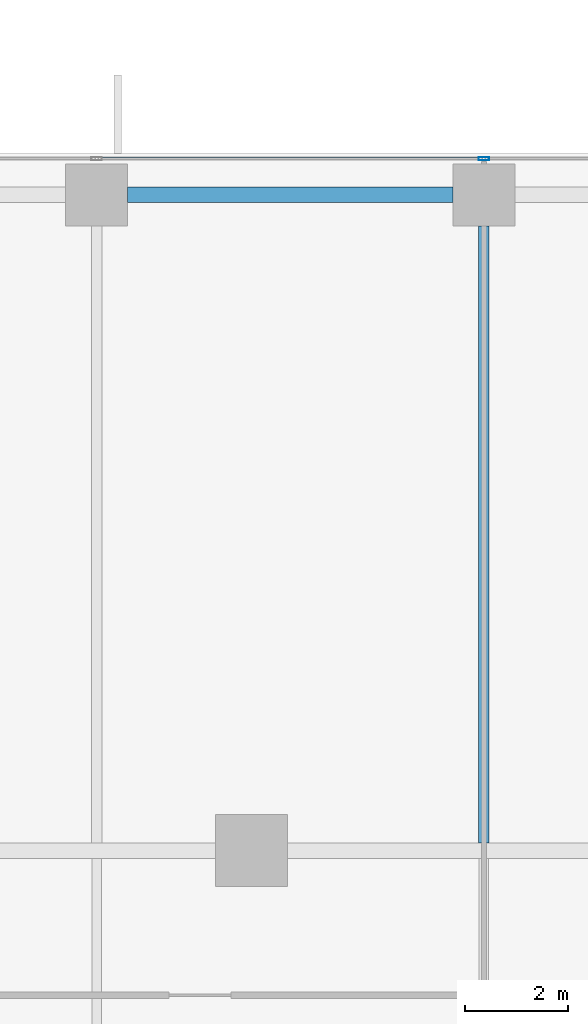
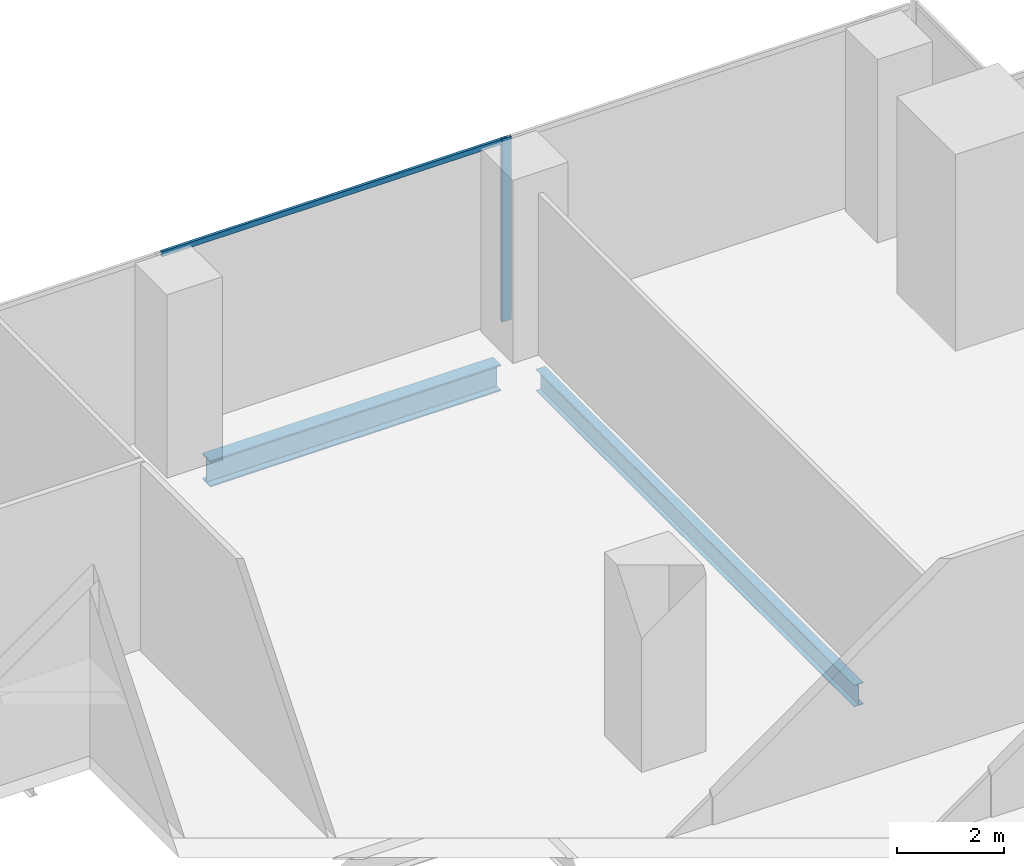
# One storey, part 19 of 33: 2 beams, 2 members, 1 element without a shape of its own.
"""IFC4 building model written with IfcOpenShell, lengths in metres."""

from ifc_helpers import new_model, si_unit, direction, frame, origin, origin_2d, place, context, subcontext, project, spatial, hollow_rectangle, i_section, extrude, source, transform, mapped, material, material_profile, profile_set, type_object, element, aggregate, save


model = new_model("IFC4")

# Units and contexts
model_context = context("Model", 3, precision=1e-05, world=origin(), true_north=direction((0.0, 1.0)))
body_context = subcontext(model_context, "Body", "Model", "MODEL_VIEW")
ifc_project = project(units=[si_unit("LENGTHUNIT", "METRE"), si_unit("AREAUNIT", "SQUARE_METRE"), si_unit("VOLUMEUNIT", "CUBIC_METRE"), si_unit("PLANEANGLEUNIT", "RADIAN"), si_unit("MASSUNIT", "GRAM", prefix="KILO")], contexts=[model_context])

# Site, building, storey
site_placement = place(None, origin())
site = spatial("IfcSite", under=ifc_project, at=site_placement, CompositionType="ELEMENT")
building_placement = place(site_placement, origin())
building = spatial("IfcBuilding", under=site, at=building_placement, Name="Khomas Fold Tower", CompositionType="ELEMENT")
storey_placement = place(building_placement, frame((0.0, 0.0, 78.0)))
storey = spatial("IfcBuildingStorey", under=building, at=storey_placement, Name="L16", CompositionType="ELEMENT", Elevation=78.0)

# Beams
ifc_material_1 = material(Name="Steel S355", Category="steel")
ifc_material_profile_1 = material_profile(ifc_material_1, i_section(OverallWidth=0.300048828125, OverallDepth=0.60009765625, WebThickness=0.015380859375, FlangeThickness=0.030029296875, at=origin_2d()), Name="HE 600 B")
ifc_profile_set_1 = profile_set([ifc_material_profile_1], Name="Steel S355")
beam_type_1 = type_object("IfcBeamType", Name="HE 600 B spandrel SB1", PredefinedType="SPANDREL", material=ifc_profile_set_1)
shared_shape_1 = source(origin(), body_context, "Body", "SweptSolid", [
    extrude(i_section(OverallWidth=0.300048828125, OverallDepth=0.60009765625, WebThickness=0.015380859375, FlangeThickness=0.030029296875, at=origin_2d()), origin(), (0.0, 0.0, 1.0), 6.2998046875),
])
beam_1_placement = place(storey_placement, frame((35.10009765625, 53.199951171875, -0.60009765625), z_axis=(1.0, 0.0, 0.0), x_axis=(0.0, 1.0, 0.0)))
element("IfcBeam", 1, at=beam_1_placement, inside=storey, type_object=beam_type_1, Name="SB1", PredefinedType="SPANDREL", context=body_context, shape_type="MappedRepresentation", body=[
    mapped(shared_shape_1, transform((0.0, 0.0, 0.0))),
])
ifc_material_2 = material(Name="Steel S355", Category="steel")
ifc_material_profile_2 = material_profile(ifc_material_2, i_section(OverallWidth=0.199951171875, OverallDepth=0.5, WebThickness=0.01025390625, FlangeThickness=0.01611328125, at=origin_2d()), Name="IPE 500")
ifc_profile_set_2 = profile_set([ifc_material_profile_2], Name="Steel S355")
beam_type_2 = type_object("IfcBeamType", Name="IPE 500 beam JB5", PredefinedType="BEAM", material=ifc_profile_set_2)
shared_shape_2 = source(origin(), body_context, "Body", "SweptSolid", [
    extrude(i_section(OverallWidth=0.199951171875, OverallDepth=0.5, WebThickness=0.01025390625, FlangeThickness=0.01611328125, at=origin_2d()), origin(), (0.0, 0.0, 1.0), 11.9501953125),
])
beam_2_placement = place(storey_placement, frame((42.0, 40.64990234375, -0.550048828125), z_axis=(0.0, 1.0, 0.0), x_axis=(-1.0, 0.0, 0.0)))
element("IfcBeam", 2, at=beam_2_placement, inside=storey, type_object=beam_type_2, Name="JB5", PredefinedType="BEAM", context=body_context, shape_type="MappedRepresentation", body=[
    mapped(shared_shape_2, transform((0.0, 0.0, 0.0))),
])

# Curtain wall, members
ifc_material_3 = material(Name="Aluminium framed double glazing", Category="aluminium")
curtain_wall_type = type_object("IfcCurtainWallType", Name="SK-Unitised clear-glass wall, growing floors CW1", PredefinedType="NOTDEFINED", material=ifc_material_3)
curtain_wall_placement = place(storey_placement, origin())
curtain_wall = element("IfcCurtainWall", 3, at=curtain_wall_placement, inside=storey, type_object=curtain_wall_type, Name="CW1 run L16 06-0", PredefinedType="NOTDEFINED")
ifc_material_4 = material(Name="Aluminium", Category="aluminium")
ifc_material_profile_3 = material_profile(ifc_material_4, hollow_rectangle(XDim=0.06005859375, YDim=0.1201171875, WallThickness=0.00390625, at=origin_2d()), Name="SK-Unitised clear-glass wall, growing floors transom CW1-T")
ifc_profile_set_3 = profile_set([ifc_material_profile_3], Name="Aluminium")
member_type_1 = type_object("IfcMemberType", Name="SK-Unitised clear-glass wall, growing floors transom CW1-T", PredefinedType="USERDEFINED", material=ifc_profile_set_3)
shared_shape_3 = source(origin(), body_context, "Body", "SweptSolid", [
    extrude(hollow_rectangle(XDim=0.06005859375, YDim=0.1201171875, WallThickness=0.00390625, at=origin_2d()), origin(), (0.0, 0.0, 1.0), 7.43994140625),
])
member_1_placement = place(storey_placement, frame((41.969970703125, 53.89990234375, 4.139892578125), z_axis=(-1.0, 0.0, 0.0), x_axis=(0.0, -1.0, 0.0)))
member_1 = element("IfcMember", 4, at=member_1_placement, type_object=member_type_1, Name="CW1 transom 3", ObjectType="TRANSOM", PredefinedType="USERDEFINED", context=body_context, shape_type="MappedRepresentation", body=[
    mapped(shared_shape_3, transform((0.0, 0.0, 0.0))),
])
ifc_material_5 = material(Name="Aluminium", Category="aluminium")
ifc_material_profile_4 = material_profile(ifc_material_5, hollow_rectangle(XDim=0.06005859375, YDim=0.199951171875, WallThickness=0.00390625, at=origin_2d()), Name="SK-Unitised clear-glass wall, growing floors mullion CW1-M")
ifc_profile_set_4 = profile_set([ifc_material_profile_4], Name="Aluminium")
member_type_2 = type_object("IfcMemberType", Name="SK-Unitised clear-glass wall, growing floors mullion CW1-M", PredefinedType="MULLION", material=ifc_profile_set_4)
shared_shape_4 = source(origin(), body_context, "Body", "SweptSolid", [
    extrude(hollow_rectangle(XDim=0.06005859375, YDim=0.199951171875, WallThickness=0.00390625, at=origin_2d()), origin(), (0.0, 0.0, 1.0), 4.199951171875),
])
member_2_placement = place(storey_placement, frame((42.0, 53.89990234375, 0.0), z_axis=(0.0, 0.0, 1.0), x_axis=(0.0, -1.0, 0.0)))
member_2 = element("IfcMember", 5, at=member_2_placement, type_object=member_type_2, Name="CW1 mullion 3", PredefinedType="MULLION", context=body_context, shape_type="MappedRepresentation", body=[
    mapped(shared_shape_4, transform((0.0, 0.0, 0.0))),
])
aggregate(curtain_wall, [member_2, member_1])

save(model, "model.ifc")
